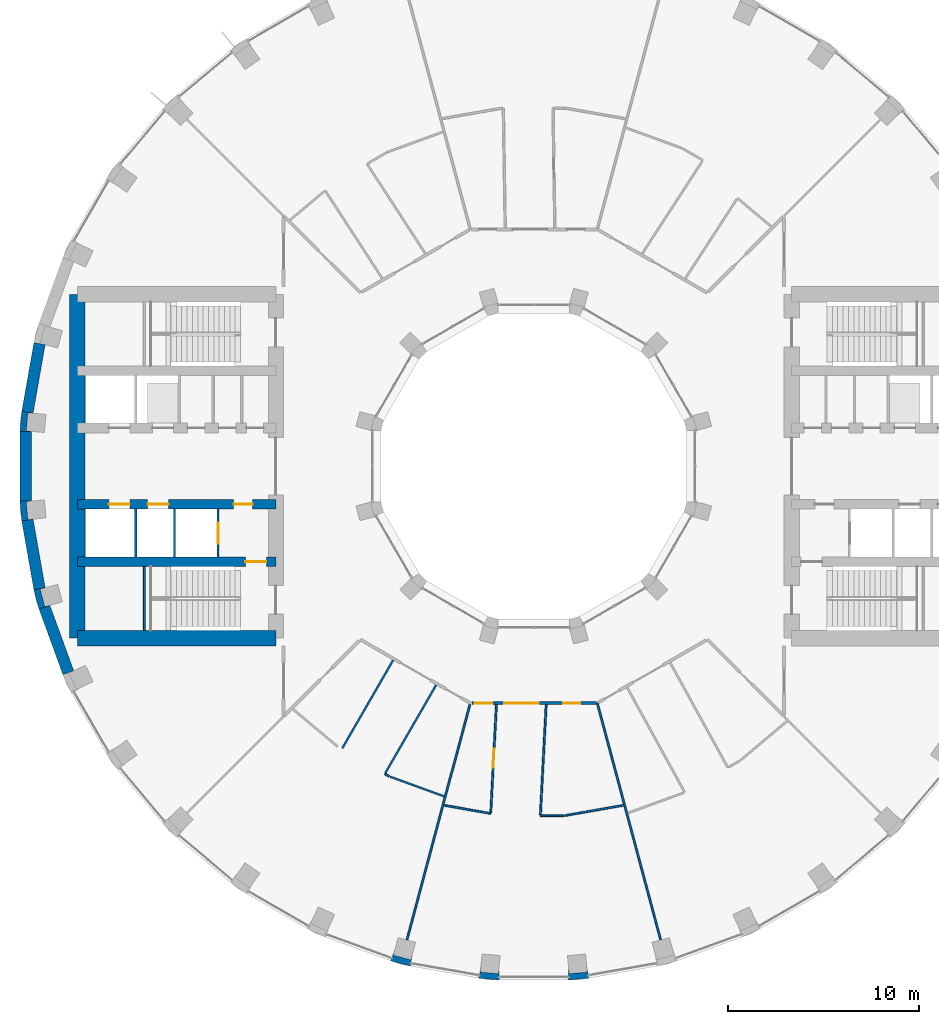
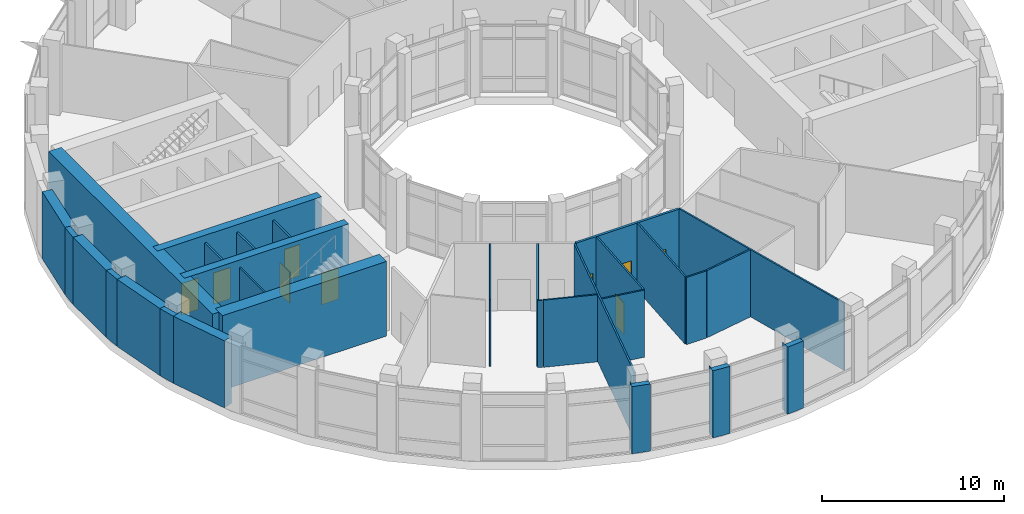
# One storey, part 12 of 18: 30 walls, 9 doors, 9 openings.
"""IFC4 building model written with IfcOpenShell, lengths in metres."""

from ifc_helpers import new_model, si_unit, direction, frame, frame_2d, origin, place, context, subcontext, project, spatial, polyline, rectangle, outline, extrude, material, layer, layer_set, type_object, element, fill, save


model = new_model("IFC4")

# Units and contexts
model_context = context("Model", 3, precision=1e-05, world=origin(), true_north=direction((0.0, 1.0)))
body_context = subcontext(model_context, "Body", "Model", "MODEL_VIEW")
ifc_project = project(units=[si_unit("LENGTHUNIT", "METRE"), si_unit("AREAUNIT", "SQUARE_METRE"), si_unit("VOLUMEUNIT", "CUBIC_METRE"), si_unit("PLANEANGLEUNIT", "RADIAN"), si_unit("MASSUNIT", "GRAM", prefix="KILO")], contexts=[model_context])

# Site, building, storey
site_placement = place(None, origin())
site = spatial("IfcSite", under=ifc_project, at=site_placement, CompositionType="ELEMENT")
building_placement = place(site_placement, origin())
building = spatial("IfcBuilding", under=site, at=building_placement, Name="Saqina Gate Tower", CompositionType="ELEMENT")
storey_placement = place(building_placement, frame((0.0, 0.0, 86.89990234375)))
storey = spatial("IfcBuildingStorey", under=building, at=storey_placement, Name="L24", CompositionType="ELEMENT", Elevation=86.89990234375)

# Walls
ifc_material_1 = material(Name="Brick masonry (buff)", Category="masonry")
wall_type_1 = type_object("IfcWallType", Name="BRICK PIER COPING BUFF", PredefinedType="SOLIDWALL", material=ifc_material_1)
wall_1_placement = place(storey_placement, origin())
element("IfcWall", 1, at=wall_1_placement, inside=storey, type_object=wall_type_1, Name="Pier cap L24 column 18", PredefinedType="SOLIDWALL", context=body_context, shape_type="SweptSolid", body=[
    extrude(outline(polyline([(-26.805419921875, 2.87451171875), (-26.897216796875, 1.823974609375), (-26.29736328125, 1.823974609375), (-26.565185546875, 1.847412109375), (-26.482421875, 2.793701171875), (-26.214599609375, 2.770263671875), (-26.805419921875, 2.87451171875)])), origin(), (0.0, 0.0, 1.0), 4.5),
])
wall_2_placement = place(storey_placement, origin())
element("IfcWall", 2, at=wall_2_placement, inside=storey, type_object=wall_type_1, Name="Pier cap L24 column 19", PredefinedType="SOLIDWALL", context=body_context, shape_type="SweptSolid", body=[
    extrude(outline(polyline([(-26.805419921875, -2.87451171875), (-26.214599609375, -2.770263671875), (-26.482421875, -2.793701171875), (-26.565185546875, -1.847412109375), (-26.29736328125, -1.823974609375), (-26.897216796875, -1.823974609375), (-26.805419921875, -2.87451171875)])), origin(), (0.0, 0.0, 1.0), 4.5),
])
wall_3_placement = place(storey_placement, origin())
element("IfcWall", 3, at=wall_3_placement, inside=storey, type_object=wall_type_1, Name="Pier cap L24 column 20", PredefinedType="SOLIDWALL", context=body_context, shape_type="SweptSolid", body=[
    extrude(outline(polyline([(-26.171875, -6.466796875), (-25.89892578125, -7.485595703125), (-25.335205078125, -7.2802734375), (-25.5947265625, -7.349853515625), (-25.8408203125, -6.43212890625), (-25.5810546875, -6.36279296875), (-26.171875, -6.466796875)])), origin(), (0.0, 0.0, 1.0), 4.5),
])
wall_4_placement = place(storey_placement, origin())
element("IfcWall", 4, at=wall_4_placement, inside=storey, type_object=wall_type_1, Name="Pier cap L24 column 26", PredefinedType="SOLIDWALL", context=body_context, shape_type="SweptSolid", body=[
    extrude(outline(polyline([(-7.485595703125, -25.89892578125), (-6.466796875, -26.171875), (-6.36279296875, -25.5810546875), (-6.43212890625, -25.8408203125), (-7.349853515625, -25.5947265625), (-7.2802734375, -25.335205078125), (-7.485595703125, -25.89892578125)])), origin(), (0.0, 0.0, 1.0), 4.5),
])
wall_5_placement = place(storey_placement, origin())
element("IfcWall", 5, at=wall_5_placement, inside=storey, type_object=wall_type_1, Name="Pier cap L24 column 27", PredefinedType="SOLIDWALL", context=body_context, shape_type="SweptSolid", body=[
    extrude(outline(polyline([(-2.87451171875, -26.805419921875), (-1.823974609375, -26.897216796875), (-1.823974609375, -26.29736328125), (-1.847412109375, -26.565185546875), (-2.793701171875, -26.482421875), (-2.770263671875, -26.214599609375), (-2.87451171875, -26.805419921875)])), origin(), (0.0, 0.0, 1.0), 4.5),
])
wall_6_placement = place(storey_placement, origin())
element("IfcWall", 6, at=wall_6_placement, inside=storey, type_object=wall_type_1, Name="Pier cap L24 column 28", PredefinedType="SOLIDWALL", context=body_context, shape_type="SweptSolid", body=[
    extrude(outline(polyline([(2.87451171875, -26.805419921875), (2.770263671875, -26.214599609375), (2.793701171875, -26.482421875), (1.847412109375, -26.565185546875), (1.823974609375, -26.29736328125), (1.823974609375, -26.897216796875), (2.87451171875, -26.805419921875)])), origin(), (0.0, 0.0, 1.0), 4.5),
])
ifc_material_2 = material(Name="Glazed ceramic tile", Category="ceramic")
ifc_layer_1 = layer(ifc_material_2, 0.60009765625)
ifc_layer_set_1 = layer_set([ifc_layer_1], Name="FW-TILE")
wall_type_2 = type_object("IfcWallType", Name="FW-TILE", PredefinedType="SOLIDWALL", material=ifc_layer_set_1)
for number, where, z_axis, x_axis, name in (
    (7, (-25.87646484375, 6.414794921875, 0.0), (0.0, 0.0, 1.0), (-0.173670796382, -0.984803764455, 0.0), "Facade wall L24 facet 17"),
    (8, (-26.510009765625, -2.822265625, 0.0), (0.0, 0.0, 1.0), (0.173670796382, -0.984803764455, 0.0), "Facade wall L24 facet 19"),
):
    element("IfcWall", number, at=place(storey_placement, frame(where, z_axis=z_axis, x_axis=x_axis)), inside=storey, type_object=wall_type_2, Name=name, PredefinedType="SOLIDWALL", context=body_context, shape_type="SweptSolid", body=[
        extrude(rectangle(XDim=3.64794921875, YDim=0.60009765625, at=frame_2d((1.823974609375, 0.0))), origin(), (0.0, 0.0, 1.0), 4.5),
    ])
ifc_material_3 = material(Name="Glazed ceramic tile (dark blue)", Category="ceramic")
ifc_layer_2 = layer(ifc_material_3, 0.60009765625)
ifc_layer_set_2 = layer_set([ifc_layer_2], Name="FW-TILE-CB")
wall_type_3 = type_object("IfcWallType", Name="FW-TILE-CB", PredefinedType="SOLIDWALL", material=ifc_layer_set_2)
wall_7_placement = place(storey_placement, frame((-26.59716796875, 1.823974609375, 0.0), z_axis=(0.0, 0.0, 1.0), x_axis=(0.0, -1.0, 0.0)))
element("IfcWall", 9, at=wall_7_placement, inside=storey, type_object=wall_type_3, Name="Facade wall L24 facet 18", PredefinedType="SOLIDWALL", context=body_context, shape_type="SweptSolid", body=[
    extrude(rectangle(XDim=3.64794921875, YDim=0.60009765625, at=frame_2d((1.823974609375, 0.0))), origin(), (0.0, 0.0, 1.0), 4.5),
])
ifc_material_4 = material(Name="Glazed ceramic tile (white)", Category="ceramic")
ifc_layer_3 = layer(ifc_material_4, 0.60009765625)
ifc_layer_set_3 = layer_set([ifc_layer_3], Name="FW-TILE-WH")
wall_type_4 = type_object("IfcWallType", Name="FW-TILE-WH", PredefinedType="SOLIDWALL", material=ifc_layer_set_3)
wall_8_placement = place(storey_placement, frame((-25.616943359375, -7.3828125, 0.0), z_axis=(0.0, 0.0, 1.0), x_axis=(0.341990236633, -0.939703505393, 0.0)))
element("IfcWall", 10, at=wall_8_placement, inside=storey, type_object=wall_type_4, Name="Facade wall L24 facet 20", PredefinedType="SOLIDWALL", context=body_context, shape_type="SweptSolid", body=[
    extrude(rectangle(XDim=3.64794921875, YDim=0.60009765625, at=frame_2d((1.823974609375, 0.0))), origin(), (0.0, 0.0, 1.0), 4.5),
])

# Wall, opening, door
ifc_material_5 = material(Name="Autoclaved aerated concrete block", Category="concrete")
ifc_layer_4 = layer(ifc_material_5, 0.1201171875)
ifc_layer_set_4 = layer_set([ifc_layer_4], Name="SHAFT PARTITION")
wall_type_5 = type_object("IfcWallType", Name="SHAFT PARTITION", PredefinedType="PARTITIONING", material=ifc_layer_set_4)
wall_9_placement = place(storey_placement, frame((-16.530029296875, -4.75, 0.0), z_axis=(0.0, 0.0, 1.0), x_axis=(0.0, 1.0, 0.0)))
wall_9 = element("IfcWall", 11, at=wall_9_placement, inside=storey, type_object=wall_type_5, Name="L24-CP-W05", PredefinedType="PARTITIONING", context=body_context, shape_type="SweptSolid", body=[
    extrude(rectangle(XDim=2.5, YDim=0.1201171875, at=frame_2d((1.25, 0.0))), origin(), (0.0, 0.0, 1.0), 4.5),
])
opening_1_placement = place(wall_9_placement, frame((0.699951171875, 0.0, 0.0)))
opening_1 = element("IfcOpeningElement", 12, at=opening_1_placement, cuts=wall_9, Name="Opening L24-LD8", PredefinedType="OPENING", context=body_context, shape_type="SweptSolid", body=[
    extrude(rectangle(XDim=1.10009765625, YDim=2.10009765625, at=frame_2d((0.550048828125, 1.050048828125))), frame((0.0, 0.072021484375, 0.0), z_axis=(0.0, -1.0, 0.0), x_axis=(1.0, 0.0, 0.0)), (0.0, 0.0, 1.0), 0.14404296875),
])
ifc_material_6 = material(Name="Stainless steel", Category="steel")
door_type_1 = type_object("IfcDoorType", Name="LANDING DOOR", OperationType="DOUBLE_DOOR_SLIDING", PredefinedType="DOOR", material=ifc_material_6)
door_1_placement = place(opening_1_placement, origin())
door_1 = element("IfcDoor", 13, at=door_1_placement, inside=storey, type_object=door_type_1, Name="LANDING DOOR FF2", OperationType="DOUBLE_DOOR_SLIDING", OverallHeight=2.10009765625, OverallWidth=1.10009765625, PredefinedType="DOOR", context=body_context, shape_type="SweptSolid", body=[
    extrude(rectangle(XDim=1.10009765625, YDim=2.10009765625, at=frame_2d((0.550048828125, 1.050048828125))), frame((0.0, 0.02490234375, 0.0), z_axis=(0.0, -1.0, 0.0), x_axis=(1.0, 0.0, 0.0)), (0.0, 0.0, 1.0), 0.050048828125),
])
fill(opening_1, door_1)

# Walls
for number, where, z_axis, x_axis, name in (
    (14, (-18.81005859375, -4.75, 0.0), (0.0, 0.0, 1.0), (0.0, 1.0, 0.0), "L24-CP-W06"),
    (15, (-20.840087890625, -4.75, 0.0), (0.0, 0.0, 1.0), (0.0, 1.0, 0.0), "L24-CP-W07"),
):
    element("IfcWall", number, at=place(storey_placement, frame(where, z_axis=z_axis, x_axis=x_axis)), inside=storey, type_object=wall_type_5, Name=name, PredefinedType="PARTITIONING", context=body_context, shape_type="SweptSolid", body=[
        extrude(rectangle(XDim=2.5, YDim=0.1201171875, at=frame_2d((1.25, 0.0))), origin(), (0.0, 0.0, 1.0), 4.5),
    ])
ifc_material_7 = material(Name="Gypsum board on steel studs, 100 mm", Category="steel")
ifc_layer_5 = layer(ifc_material_7, 0.10009765625)
ifc_layer_set_5 = layer_set([ifc_layer_5], Name="SPECIAL PARTITION 100")
wall_type_6 = type_object("IfcWallType", Name="SPECIAL PARTITION 100", PredefinedType="PARTITIONING", material=ifc_layer_set_5)
wall_10_placement = place(storey_placement, frame((3.322998046875, -12.39990234375, 0.0), z_axis=(0.0, 0.0, 1.0), x_axis=(0.258784286108, -0.965935139263, 0.0)))
element("IfcWall", 16, at=wall_10_placement, inside=storey, type_object=wall_type_6, Name="PARTITION 004", PredefinedType="PARTITIONING", context=body_context, shape_type="SweptSolid", body=[
    extrude(rectangle(XDim=12.82763671875, YDim=0.10009765625, at=frame_2d((6.413818359375, 0.0))), origin(), (0.0, 0.0, 1.0), 4.5),
])
wall_11_placement = place(storey_placement, frame((-7.798095703125, -16.10595703125, 0.0), z_axis=(0.0, 0.0, 1.0), x_axis=(0.865999496279, -0.500044870432, 0.0)))
element("IfcWall", 17, at=wall_11_placement, inside=storey, type_object=wall_type_6, Name="PARTITION 015", PredefinedType="PARTITIONING", context=body_context, shape_type="SweptSolid", body=[
    extrude(rectangle(XDim=0.26220703125, YDim=0.10009765625, at=frame_2d((0.131103515625, 0.0))), origin(), (0.0, 0.0, 1.0), 4.5),
])
wall_12_placement = place(storey_placement, frame((-7.52392578125, -16.254150390625, 0.0), z_axis=(0.0, 0.0, 1.0), x_axis=(0.939684877283, -0.342041417677, 0.0)))
element("IfcWall", 18, at=wall_12_placement, inside=storey, type_object=wall_type_6, Name="PARTITION 019", PredefinedType="PARTITIONING", context=body_context, shape_type="SweptSolid", body=[
    extrude(rectangle(XDim=3.022216796875, YDim=0.10009765625, at=frame_2d((1.51123046875, 0.0))), origin(), (0.0, 0.0, 1.0), 4.5),
])
wall_13_placement = place(storey_placement, frame((-4.70458984375, -17.749755859375, 0.0), z_axis=(0.0, 0.0, 1.0), x_axis=(0.984795413071, -0.173718146416, 0.0)))
element("IfcWall", 19, at=wall_13_placement, inside=storey, type_object=wall_type_6, Name="PARTITION 021", PredefinedType="PARTITIONING", context=body_context, shape_type="SweptSolid", body=[
    extrude(rectangle(XDim=2.487548828125, YDim=0.10009765625, at=frame_2d((1.24365234375, 0.0))), origin(), (0.0, 0.0, 1.0), 4.5),
])
wall_14_placement = place(storey_placement, frame((0.343017578125, -18.297119140625, 0.0), z_axis=(0.0, 0.0, 1.0), x_axis=(1.0, 0.0, 0.0)))
element("IfcWall", 20, at=wall_14_placement, inside=storey, type_object=wall_type_6, Name="PARTITION 023", PredefinedType="PARTITIONING", context=body_context, shape_type="SweptSolid", body=[
    extrude(rectangle(XDim=1.258056640625, YDim=0.10009765625, at=frame_2d((0.62890625, 0.0))), origin(), (0.0, 0.0, 1.0), 4.5),
])
wall_15_placement = place(storey_placement, frame((1.650146484375, -18.288330078125, 0.0), z_axis=(0.0, 0.0, 1.0), x_axis=(0.984810487744, 0.173632667516, 0.0)))
element("IfcWall", 21, at=wall_15_placement, inside=storey, type_object=wall_type_6, Name="PARTITION 027", PredefinedType="PARTITIONING", context=body_context, shape_type="SweptSolid", body=[
    extrude(rectangle(XDim=3.101806640625, YDim=0.10009765625, at=frame_2d((1.55078125, 0.0))), origin(), (0.0, 0.0, 1.0), 4.5),
])
wall_16_placement = place(storey_placement, frame((-7.77294921875, -16.062744140625, 0.0), z_axis=(0.0, 0.0, 1.0), x_axis=(0.500061294844, 0.865990012298, 0.0)))
element("IfcWall", 22, at=wall_16_placement, inside=storey, type_object=wall_type_6, Name="PARTITION 043", PredefinedType="PARTITIONING", context=body_context, shape_type="SweptSolid", body=[
    extrude(rectangle(XDim=5.322021484375, YDim=0.10009765625, at=frame_2d((2.6611328125, 0.0))), origin(), (0.0, 0.0, 1.0), 4.5),
])
wall_17_placement = place(storey_placement, frame((-10.02392578125, -14.7626953125, 0.0), z_axis=(0.0, 0.0, 1.0), x_axis=(0.499864084004, 0.866103860702, 0.0)))
element("IfcWall", 23, at=wall_17_placement, inside=storey, type_object=wall_type_6, Name="PARTITION 044", PredefinedType="PARTITIONING", context=body_context, shape_type="SweptSolid", body=[
    extrude(rectangle(XDim=5.322265625, YDim=0.10009765625, at=frame_2d((2.6611328125, 0.0))), origin(), (0.0, 0.0, 1.0), 4.5),
])
wall_18_placement = place(storey_placement, frame((-6.642578125, -24.79052734375, 0.0), z_axis=(0.0, 0.0, 1.0), x_axis=(0.258794457902, 0.965932414074, 0.0)))
element("IfcWall", 24, at=wall_18_placement, inside=storey, type_object=wall_type_6, Name="PARTITION 045", PredefinedType="PARTITIONING", context=body_context, shape_type="SweptSolid", body=[
    extrude(rectangle(XDim=12.752685546875, YDim=0.10009765625, at=frame_2d((6.37646484375, 0.0))), origin(), (0.0, 0.0, 1.0), 4.5),
])
wall_19_placement = place(storey_placement, frame((0.345703125, -18.2470703125, 0.0), z_axis=(0.0, 0.0, 1.0), x_axis=(0.052332707546, 0.998629705006, 0.0)))
element("IfcWall", 25, at=wall_19_placement, inside=storey, type_object=wall_type_6, Name="PARTITION 047", PredefinedType="PARTITIONING", context=body_context, shape_type="SweptSolid", body=[
    extrude(rectangle(XDim=5.780029296875, YDim=0.10009765625, at=frame_2d((2.89013671875, 0.0))), origin(), (0.0, 0.0, 1.0), 4.5),
])

# Wall, opening, door
wall_20_placement = place(storey_placement, frame((-2.25244140625, -18.132080078125, 0.0), z_axis=(0.0, 0.0, 1.0), x_axis=(0.0523620414, 0.998628167348, 0.0)))
wall_20 = element("IfcWall", 26, at=wall_20_placement, inside=storey, type_object=wall_type_6, Name="PARTITION 048", PredefinedType="PARTITIONING", context=body_context, shape_type="SweptSolid", body=[
    extrude(rectangle(XDim=5.6650390625, YDim=0.10009765625, at=frame_2d((2.83251953125, 0.0))), origin(), (0.0, 0.0, 1.0), 4.5),
])
opening_2_placement = place(wall_20_placement, frame((2.344970703125, 0.0, 0.0)))
opening_2 = element("IfcOpeningElement", 27, at=opening_2_placement, cuts=wall_20, Name="Opening L24-D18", PredefinedType="OPENING", context=body_context, shape_type="SweptSolid", body=[
    extrude(rectangle(XDim=1.0, YDim=2.10009765625, at=frame_2d((0.5, 1.050048828125))), frame((0.0, 0.06201171875, 0.0), z_axis=(0.0, -1.0, 0.0), x_axis=(1.0, 0.0, 0.0)), (0.0, 0.0, 1.0), 0.1240234375),
])
ifc_material_8 = material(Name="Timber door leaf", Category="wood")
door_type_2 = type_object("IfcDoorType", Name="SPECIAL DOOR 1000 TIMBER", OperationType="SINGLE_SWING_LEFT", PredefinedType="DOOR", material=ifc_material_8)
door_2_placement = place(opening_2_placement, frame((1.0, 0.0, 0.0), z_axis=(0.0, 0.0, 1.0), x_axis=(-1.0, 0.0, 0.0)))
door_2 = element("IfcDoor", 28, at=door_2_placement, inside=storey, type_object=door_type_2, Name="DOOR L24-D18", OperationType="SINGLE_SWING_LEFT", OverallHeight=2.10009765625, OverallWidth=1.0, PredefinedType="DOOR", context=body_context, shape_type="SweptSolid", body=[
    extrude(rectangle(XDim=1.0, YDim=2.10009765625, at=frame_2d((0.5, 1.050048828125))), frame((0.0, 0.02490234375, 0.0), z_axis=(0.0, -1.0, 0.0), x_axis=(1.0, 0.0, 0.0)), (0.0, 0.0, 1.0), 0.050048828125),
])
fill(opening_2, door_2)

# Wall, openings, doors
ifc_material_9 = material(Name="Gypsum board on steel studs, 150 mm, fire rated", Category="steel")
ifc_layer_6 = layer(ifc_material_9, 0.14990234375)
ifc_layer_set_6 = layer_set([ifc_layer_6], Name="SPECIAL PARTITION EI 30 150")
wall_type_7 = type_object("IfcWallType", Name="SPECIAL PARTITION EI 30 150", PredefinedType="PARTITIONING", material=ifc_layer_set_6)
wall_21_placement = place(storey_placement, frame((-3.248046875, -12.39990234375, 0.0), z_axis=(0.0, 0.0, 1.0), x_axis=(1.0, 0.0, 0.0)))
wall_21 = element("IfcWall", 29, at=wall_21_placement, inside=storey, type_object=wall_type_7, Name="PARTITION 024", PredefinedType="PARTITIONING", context=body_context, shape_type="SweptSolid", body=[
    extrude(rectangle(XDim=6.52099609375, YDim=0.14990234375, at=frame_2d((3.260498046875, 0.0))), origin(), (0.0, 0.0, 1.0), 4.5),
])
opening_3_placement = place(wall_21_placement, frame((0.160400390625, 0.0, 0.0)))
opening_3 = element("IfcOpeningElement", 30, at=opening_3_placement, cuts=wall_21, Name="Opening L24-D17", PredefinedType="OPENING", context=body_context, shape_type="SweptSolid", body=[
    extrude(rectangle(XDim=0.89990234375, YDim=2.10009765625, at=frame_2d((0.449951171875, 1.050048828125))), frame((0.0, 0.0869140625, 0.0), z_axis=(0.0, -1.0, 0.0), x_axis=(1.0, 0.0, 0.0)), (0.0, 0.0, 1.0), 0.173828125),
])
opening_4_placement = place(wall_21_placement, frame((1.697998046875, 0.0, 0.0)))
opening_4 = element("IfcOpeningElement", 31, at=opening_4_placement, cuts=wall_21, Name="Opening L24-D19", PredefinedType="OPENING", context=body_context, shape_type="SweptSolid", body=[
    extrude(rectangle(XDim=1.800048828125, YDim=2.10009765625, at=frame_2d((0.89990234375, 1.050048828125))), frame((0.0, 0.0869140625, 0.0), z_axis=(0.0, -1.0, 0.0), x_axis=(1.0, 0.0, 0.0)), (0.0, 0.0, 1.0), 0.173828125),
])
opening_5_placement = place(wall_21_placement, frame((4.785400390625, 0.0, 0.0)))
opening_5 = element("IfcOpeningElement", 32, at=opening_5_placement, cuts=wall_21, Name="Opening L24-D20", PredefinedType="OPENING", context=body_context, shape_type="SweptSolid", body=[
    extrude(rectangle(XDim=0.89990234375, YDim=2.10009765625, at=frame_2d((0.449951171875, 1.050048828125))), frame((0.0, 0.0869140625, 0.0), z_axis=(0.0, -1.0, 0.0), x_axis=(1.0, 0.0, 0.0)), (0.0, 0.0, 1.0), 0.173828125),
])
ifc_material_10 = material(Name="Steel-framed fire door leaf, EI 30", Category="steel")
door_type_3 = type_object("IfcDoorType", Name="SPECIAL DOOR 900 FIRE EI 30", OperationType="SINGLE_SWING_LEFT", PredefinedType="DOOR", material=ifc_material_10)
door_3_placement = place(opening_3_placement, frame((0.89990234375, 0.0, 0.0), z_axis=(0.0, 0.0, 1.0), x_axis=(-1.0, 0.0, 0.0)))
door_3 = element("IfcDoor", 33, at=door_3_placement, inside=storey, type_object=door_type_3, Name="DOOR L24-D17", OperationType="SINGLE_SWING_RIGHT", OverallHeight=2.10009765625, OverallWidth=0.89990234375, PredefinedType="DOOR", context=body_context, shape_type="SweptSolid", body=[
    extrude(rectangle(XDim=0.89990234375, YDim=2.10009765625, at=frame_2d((0.449951171875, 1.050048828125))), frame((0.0, 0.02490234375, 0.0), z_axis=(0.0, -1.0, 0.0), x_axis=(1.0, 0.0, 0.0)), (0.0, 0.0, 1.0), 0.050048828125),
])
fill(opening_3, door_3)
door_4_placement = place(opening_5_placement, frame((0.89990234375, 0.0, 0.0), z_axis=(0.0, 0.0, 1.0), x_axis=(-1.0, 0.0, 0.0)))
door_4 = element("IfcDoor", 34, at=door_4_placement, inside=storey, type_object=door_type_3, Name="DOOR L24-D20", OperationType="SINGLE_SWING_LEFT", OverallHeight=2.10009765625, OverallWidth=0.89990234375, PredefinedType="DOOR", context=body_context, shape_type="SweptSolid", body=[
    extrude(rectangle(XDim=0.89990234375, YDim=2.10009765625, at=frame_2d((0.449951171875, 1.050048828125))), frame((0.0, 0.02490234375, 0.0), z_axis=(0.0, -1.0, 0.0), x_axis=(1.0, 0.0, 0.0)), (0.0, 0.0, 1.0), 0.050048828125),
])
fill(opening_5, door_4)
ifc_material_11 = material(Name="Steel-framed fire door leaf, EI 30", Category="steel")
door_type_4 = type_object("IfcDoorType", Name="SPECIAL DOUBLE DOOR 1800 FIRE EI 30", OperationType="DOUBLE_DOOR_SINGLE_SWING", PredefinedType="DOOR", material=ifc_material_11)
door_5_placement = place(opening_4_placement, origin())
door_5 = element("IfcDoor", 35, at=door_5_placement, inside=storey, type_object=door_type_4, Name="DOOR L24-D19", OperationType="DOUBLE_DOOR_SINGLE_SWING", OverallHeight=2.10009765625, OverallWidth=1.800048828125, PredefinedType="DOOR", context=body_context, shape_type="SweptSolid", body=[
    extrude(rectangle(XDim=1.800048828125, YDim=2.10009765625, at=frame_2d((0.89990234375, 1.050048828125))), frame((0.0, 0.02490234375, 0.0), z_axis=(0.0, -1.0, 0.0), x_axis=(1.0, 0.0, 0.0)), (0.0, 0.0, 1.0), 0.050048828125),
])
fill(opening_4, door_5)

# Wall
ifc_material_12 = material(Name="Autoclaved aerated concrete block", Category="concrete")
ifc_layer_7 = layer(ifc_material_12, 0.10009765625)
ifc_layer_set_7 = layer_set([ifc_layer_7], Name="STAIR ENCLOSURE WALL")
wall_type_8 = type_object("IfcWallType", Name="STAIR ENCLOSURE WALL", PredefinedType="PARTITIONING", material=ifc_layer_set_7)
wall_22_placement = place(storey_placement, frame((-20.389892578125, -8.60009765625, 0.0), z_axis=(0.0, 0.0, 1.0), x_axis=(0.0, 1.0, 0.0)))
element("IfcWall", 36, at=wall_22_placement, inside=storey, type_object=wall_type_8, Name="L24-CP-W09", PredefinedType="PARTITIONING", context=body_context, shape_type="SweptSolid", body=[
    extrude(rectangle(XDim=3.35009765625, YDim=0.10009765625, at=frame_2d((1.675048828125, 0.0))), origin(), (0.0, 0.0, 1.0), 4.5),
])

# Wall, opening, door
ifc_material_13 = material(Name="Concrete C70/85", Category="concrete")
ifc_layer_8 = layer(ifc_material_13, 0.5)
ifc_layer_set_8 = layer_set([ifc_layer_8], Name="Concrete C70/85")
wall_type_9 = type_object("IfcWallType", Name="STR-CORE WALL-B-I", PredefinedType="SHEAR", material=ifc_layer_set_8)
wall_23_placement = place(storey_placement, frame((-13.5, -5.0, 0.0), z_axis=(0.0, 0.0, 1.0), x_axis=(-1.0, 0.0, 0.0)))
wall_23 = element("IfcWall", 37, at=wall_23_placement, inside=storey, type_object=wall_type_9, Name="CORE WALL L24 W-X2", PredefinedType="SHEAR", context=body_context, shape_type="SweptSolid", body=[
    extrude(rectangle(XDim=10.39990234375, YDim=0.5, at=frame_2d((5.199951171875, 0.0))), origin(), (0.0, 0.0, 1.0), 5.0),
])
opening_6_placement = place(wall_23_placement, frame((0.5, 0.0, 0.0)))
opening_6 = element("IfcOpeningElement", 38, at=opening_6_placement, cuts=wall_23, Name="Opening L24-D102", PredefinedType="OPENING", context=body_context, shape_type="SweptSolid", body=[
    extrude(rectangle(XDim=1.10009765625, YDim=2.10009765625, at=frame_2d((0.550048828125, 1.050048828125))), frame((0.0, 0.261962890625, 0.0), z_axis=(0.0, -1.0, 0.0), x_axis=(1.0, 0.0, 0.0)), (0.0, 0.0, 1.0), 0.52392578125),
])
ifc_material_14 = material(Name="Steel", Category="steel")
door_type_5 = type_object("IfcDoorType", Name="FIRE LOBBY DOOR EI 60 WIDE", OperationType="SINGLE_SWING_LEFT", PredefinedType="DOOR", material=ifc_material_14)
door_6_placement = place(opening_6_placement, origin())
door_6 = element("IfcDoor", 39, at=door_6_placement, inside=storey, type_object=door_type_5, Name="L24-CD-W13", OperationType="SINGLE_SWING_LEFT", OverallHeight=2.10009765625, OverallWidth=1.10009765625, PredefinedType="DOOR", context=body_context, shape_type="SweptSolid", body=[
    extrude(rectangle(XDim=1.10009765625, YDim=2.10009765625, at=frame_2d((0.550048828125, 1.050048828125))), frame((0.0, 0.02490234375, 0.0), z_axis=(0.0, -1.0, 0.0), x_axis=(1.0, 0.0, 0.0)), (0.0, 0.0, 1.0), 0.050048828125),
])
fill(opening_6, door_6)

# Wall, openings, doors
wall_24_placement = place(storey_placement, frame((-13.5, -2.0, 0.0), z_axis=(0.0, 0.0, 1.0), x_axis=(-1.0, 0.0, 0.0)))
wall_24 = element("IfcWall", 40, at=wall_24_placement, inside=storey, type_object=wall_type_9, Name="CORE WALL L24 W-L2", PredefinedType="SHEAR", context=body_context, shape_type="SweptSolid", body=[
    extrude(rectangle(XDim=10.39990234375, YDim=0.5, at=frame_2d((5.199951171875, 0.0))), origin(), (0.0, 0.0, 1.0), 5.0),
])
opening_7_placement = place(wall_24_placement, frame((5.6201171875, 0.0, 0.0)))
opening_7 = element("IfcOpeningElement", 41, at=opening_7_placement, cuts=wall_24, Name="Opening L24-LD9", PredefinedType="OPENING", context=body_context, shape_type="SweptSolid", body=[
    extrude(rectangle(XDim=1.10009765625, YDim=2.10009765625, at=frame_2d((0.550048828125, 1.050048828125))), frame((0.0, 0.261962890625, 0.0), z_axis=(0.0, -1.0, 0.0), x_axis=(1.0, 0.0, 0.0)), (0.0, 0.0, 1.0), 0.52392578125),
])
opening_8_placement = place(wall_24_placement, frame((7.64990234375, 0.0, 0.0)))
opening_8 = element("IfcOpeningElement", 42, at=opening_8_placement, cuts=wall_24, Name="Opening L24-LD10", PredefinedType="OPENING", context=body_context, shape_type="SweptSolid", body=[
    extrude(rectangle(XDim=1.10009765625, YDim=2.10009765625, at=frame_2d((0.550048828125, 1.050048828125))), frame((0.0, 0.261962890625, 0.0), z_axis=(0.0, -1.0, 0.0), x_axis=(1.0, 0.0, 0.0)), (0.0, 0.0, 1.0), 0.52392578125),
])
opening_9_placement = place(wall_24_placement, frame((1.215087890625, 0.0, 0.0)))
opening_9 = element("IfcOpeningElement", 43, at=opening_9_placement, cuts=wall_24, Name="Opening L24-D101", PredefinedType="OPENING", context=body_context, shape_type="SweptSolid", body=[
    extrude(rectangle(XDim=1.0, YDim=2.10009765625, at=frame_2d((0.5, 1.050048828125))), frame((0.0, 0.261962890625, 0.0), z_axis=(0.0, -1.0, 0.0), x_axis=(1.0, 0.0, 0.0)), (0.0, 0.0, 1.0), 0.52392578125),
])
ifc_material_15 = material(Name="Steel", Category="steel")
door_type_6 = type_object("IfcDoorType", Name="FIRE LOBBY DOOR EI 60", OperationType="SINGLE_SWING_LEFT", PredefinedType="DOOR", material=ifc_material_15)
door_7_placement = place(opening_9_placement, frame((1.0, 0.0, 0.0), z_axis=(0.0, 0.0, 1.0), x_axis=(-1.0, 0.0, 0.0)))
door_7 = element("IfcDoor", 44, at=door_7_placement, inside=storey, type_object=door_type_6, Name="L24-CD-W12", OperationType="SINGLE_SWING_RIGHT", OverallHeight=2.10009765625, OverallWidth=1.0, PredefinedType="DOOR", context=body_context, shape_type="SweptSolid", body=[
    extrude(rectangle(XDim=1.0, YDim=2.10009765625, at=frame_2d((0.5, 1.050048828125))), frame((0.0, 0.02490234375, 0.0), z_axis=(0.0, -1.0, 0.0), x_axis=(1.0, 0.0, 0.0)), (0.0, 0.0, 1.0), 0.050048828125),
])
fill(opening_9, door_7)
door_8_placement = place(opening_7_placement, origin())
door_8 = element("IfcDoor", 45, at=door_8_placement, inside=storey, type_object=door_type_1, Name="LANDING DOOR LR6", OperationType="DOUBLE_DOOR_SLIDING", OverallHeight=2.10009765625, OverallWidth=1.10009765625, PredefinedType="DOOR", context=body_context, shape_type="SweptSolid", body=[
    extrude(rectangle(XDim=1.10009765625, YDim=2.10009765625, at=frame_2d((0.550048828125, 1.050048828125))), frame((0.0, 0.02490234375, 0.0), z_axis=(0.0, -1.0, 0.0), x_axis=(1.0, 0.0, 0.0)), (0.0, 0.0, 1.0), 0.050048828125),
])
fill(opening_7, door_8)
door_9_placement = place(opening_8_placement, origin())
door_9 = element("IfcDoor", 46, at=door_9_placement, inside=storey, type_object=door_type_1, Name="LANDING DOOR LR5", OperationType="DOUBLE_DOOR_SLIDING", OverallHeight=2.10009765625, OverallWidth=1.10009765625, PredefinedType="DOOR", context=body_context, shape_type="SweptSolid", body=[
    extrude(rectangle(XDim=1.10009765625, YDim=2.10009765625, at=frame_2d((0.550048828125, 1.050048828125))), frame((0.0, 0.02490234375, 0.0), z_axis=(0.0, -1.0, 0.0), x_axis=(1.0, 0.0, 0.0)), (0.0, 0.0, 1.0), 0.050048828125),
])
fill(opening_8, door_9)

# Walls
ifc_material_16 = material(Name="Concrete C70/85", Category="concrete")
ifc_layer_9 = layer(ifc_material_16, 0.800048828125)
ifc_layer_set_9 = layer_set([ifc_layer_9], Name="Concrete C70/85")
wall_type_10 = type_object("IfcWallType", Name="STR-CORE WALL-B-O", PredefinedType="SHEAR", material=ifc_layer_set_9)
wall_25_placement = place(storey_placement, frame((-23.89990234375, -9.0, 0.0), z_axis=(0.0, 0.0, 1.0), x_axis=(0.0, 1.0, 0.0)))
element("IfcWall", 47, at=wall_25_placement, inside=storey, type_object=wall_type_10, Name="CORE WALL L24 W-W2", PredefinedType="SHEAR", context=body_context, shape_type="SweptSolid", body=[
    extrude(rectangle(XDim=18.0, YDim=0.800048828125, at=frame_2d((9.0, 0.0))), origin(), (0.0, 0.0, 1.0), 5.0),
])
wall_26_placement = place(storey_placement, frame((-13.5, -9.0, 0.0), z_axis=(0.0, 0.0, 1.0), x_axis=(-1.0, 0.0, 0.0)))
element("IfcWall", 48, at=wall_26_placement, inside=storey, type_object=wall_type_10, Name="CORE WALL L24 W-SE", PredefinedType="SHEAR", context=body_context, shape_type="SweptSolid", body=[
    extrude(rectangle(XDim=10.39990234375, YDim=0.800048828125, at=frame_2d((5.199951171875, 0.0))), origin(), (0.0, 0.0, 1.0), 5.0),
])

save(model, "model.ifc")
